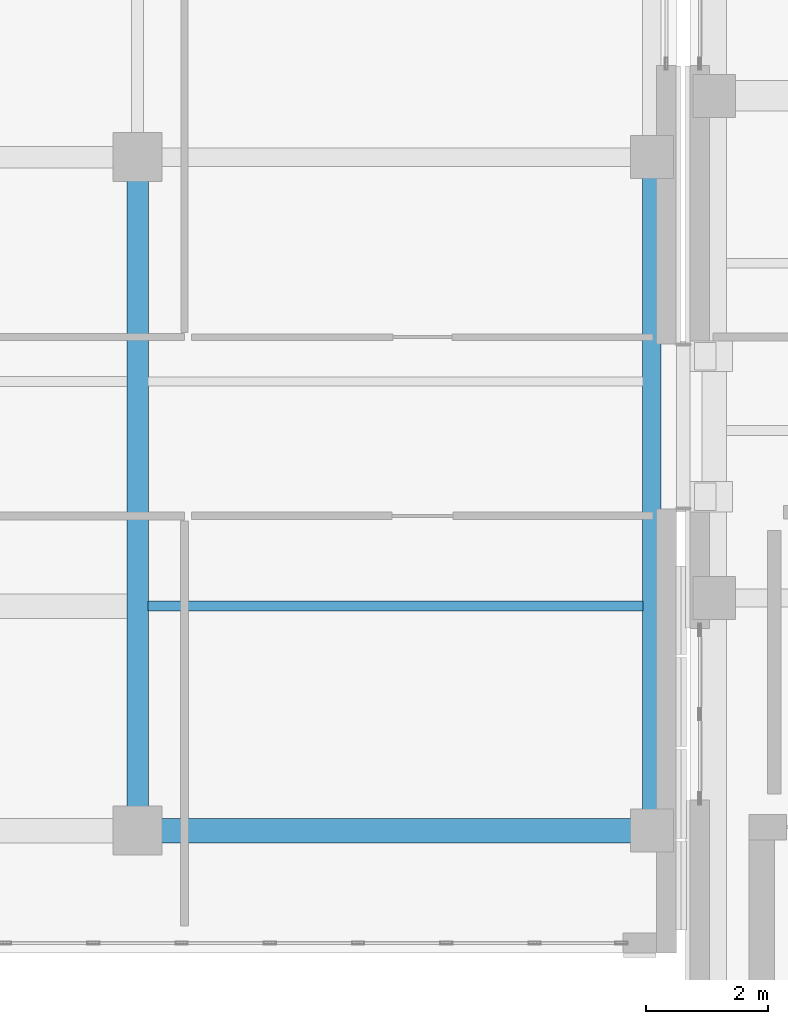
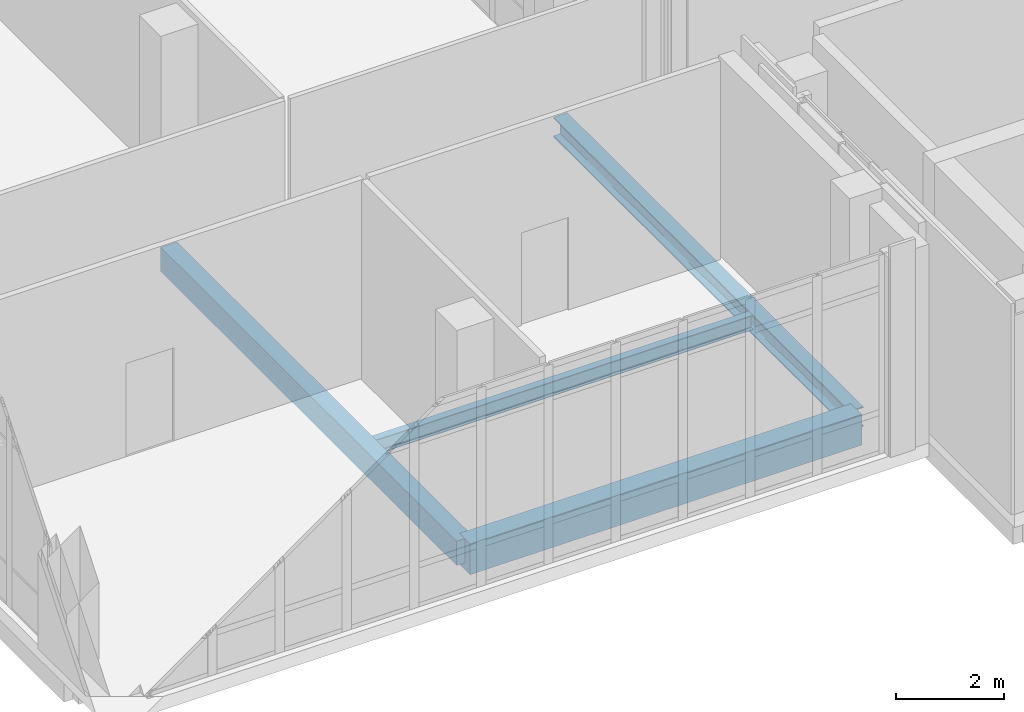
# One storey, part 4 of 189: 4 beams.
"""IFC4 building model written with IfcOpenShell, lengths in metres."""

from ifc_helpers import new_model, si_unit, direction, frame, origin, origin_2d, place, context, subcontext, project, spatial, rectangle, i_section, extrude, material, material_profile, profile_set, type_object, element, save


model = new_model("IFC4")

# Units and contexts
model_context = context("Model", 3, precision=1e-05, world=origin(), true_north=direction((0.0, 1.0)))
body_context = subcontext(model_context, "Body", "Model", "MODEL_VIEW")
ifc_project = project(units=[si_unit("LENGTHUNIT", "METRE"), si_unit("AREAUNIT", "SQUARE_METRE"), si_unit("VOLUMEUNIT", "CUBIC_METRE"), si_unit("PLANEANGLEUNIT", "RADIAN"), si_unit("MASSUNIT", "GRAM", prefix="KILO")], contexts=[model_context])

# Site, building, storey
site_placement = place(None, origin())
site = spatial("IfcSite", under=ifc_project, at=site_placement, CompositionType="ELEMENT")
building_placement = place(site_placement, origin())
building = spatial("IfcBuilding", under=site, at=building_placement, Name="Qalavern Law Courts", CompositionType="ELEMENT")
storey_placement = place(building_placement, frame((0.0, 0.0, 5.39990234375)))
storey = spatial("IfcBuildingStorey", under=building, at=storey_placement, Name="L01", CompositionType="ELEMENT", Elevation=5.39990234375)

# Beams
ifc_material_1 = material(Name="Concrete C35/45", Category="concrete")
ifc_material_profile_1 = material_profile(ifc_material_1, rectangle(XDim=0.35009765625, YDim=0.550048828125, at=origin_2d()), Name="RC 350x550")
ifc_profile_set_1 = profile_set([ifc_material_profile_1], Name="Concrete C35/45")
beam_type_1 = type_object("IfcBeamType", Name="STR-BM-RC350x550", PredefinedType="BEAM", material=ifc_profile_set_1)
beam_1_placement = place(storey_placement, frame((25.199951171875, 10.0, -0.574951171875), z_axis=(0.0, 1.0, 0.0), x_axis=(-1.0, 0.0, 0.0)))
element("IfcBeam", 1, at=beam_1_placement, inside=storey, type_object=beam_type_1, Name="V1 Y-beam 2-1 L01", PredefinedType="BEAM", context=body_context, shape_type="SweptSolid", body=[
    extrude(rectangle(XDim=0.35009765625, YDim=0.550048828125, at=origin_2d()), origin(), (0.0, 0.0, 1.0), 11.0),
])
ifc_material_2 = material(Name="Steel S355", Category="steel")
ifc_material_profile_2 = material_profile(ifc_material_2, i_section(OverallWidth=0.159912109375, OverallDepth=0.330078125, WebThickness=0.007568359375, FlangeThickness=0.011474609375, FilletRadius=0.01806640625, at=origin_2d()), Name="IPE 330")
ifc_profile_set_2 = profile_set([ifc_material_profile_2], Name="Steel S355")
beam_type_2 = type_object("IfcBeamType", Name="STR-JST-IPE330", PredefinedType="JOIST", material=ifc_profile_set_2)
beam_2_placement = place(storey_placement, frame((25.373046875, 13.666748046875, -0.46484375), z_axis=(1.0, 0.0, 0.0), x_axis=(0.0, 1.0, 0.0)))
element("IfcBeam", 2, at=beam_2_placement, inside=storey, type_object=beam_type_2, Name="V1 secondary joist 2.1.1 L01", PredefinedType="JOIST", context=body_context, shape_type="SweptSolid", body=[
    extrude(i_section(OverallWidth=0.159912109375, OverallDepth=0.330078125, WebThickness=0.007568359375, FlangeThickness=0.011474609375, FilletRadius=0.01806640625, at=origin_2d()), origin(), (0.0, 0.0, 1.0), 8.078857421875),
])
ifc_material_profile_3 = material_profile(ifc_material_2, i_section(OverallWidth=0.300048828125, OverallDepth=0.449951171875, WebThickness=0.013916015625, FlangeThickness=0.02587890625, FilletRadius=0.027099609375, at=origin_2d()), Name="HEB 450")
ifc_profile_set_3 = profile_set([ifc_material_profile_3], Name="Steel S355")
beam_type_3 = type_object("IfcBeamType", Name="STR-SP-HEB450", PredefinedType="SPANDREL", material=ifc_profile_set_3)
beam_3_placement = place(storey_placement, frame((33.60009765625, 10.0, -0.52490234375), z_axis=(0.0, 1.0, 0.0), x_axis=(-1.0, 0.0, 0.0)))
element("IfcBeam", 3, at=beam_3_placement, inside=storey, type_object=beam_type_3, Name="V1 Y-beam 3-1 L01", PredefinedType="SPANDREL", context=body_context, shape_type="SweptSolid", body=[
    extrude(i_section(OverallWidth=0.300048828125, OverallDepth=0.449951171875, WebThickness=0.013916015625, FlangeThickness=0.02587890625, FilletRadius=0.027099609375, at=origin_2d()), origin(), (0.0, 0.0, 1.0), 11.0),
])
ifc_material_3 = material(Name="Concrete C40/50", Category="concrete")
ifc_material_profile_4 = material_profile(ifc_material_3, rectangle(XDim=0.39990234375, YDim=0.699951171875, at=origin_2d()), Name="RC 400x700")
ifc_profile_set_4 = profile_set([ifc_material_profile_4], Name="Concrete C40/50")
beam_type_4 = type_object("IfcBeamType", Name="STR-SP-RC400x700", PredefinedType="SPANDREL", material=ifc_profile_set_4)
beam_4_placement = place(storey_placement, frame((25.199951171875, 10.0, -0.64990234375), z_axis=(1.0, 0.0, 0.0), x_axis=(0.0, 1.0, 0.0)))
element("IfcBeam", 4, at=beam_4_placement, inside=storey, type_object=beam_type_4, Name="V1 X-beam 1-2 L01", PredefinedType="SPANDREL", context=body_context, shape_type="SweptSolid", body=[
    extrude(rectangle(XDim=0.39990234375, YDim=0.699951171875, at=origin_2d()), origin(), (0.0, 0.0, 1.0), 8.400146484375),
])

save(model, "model.ifc")
